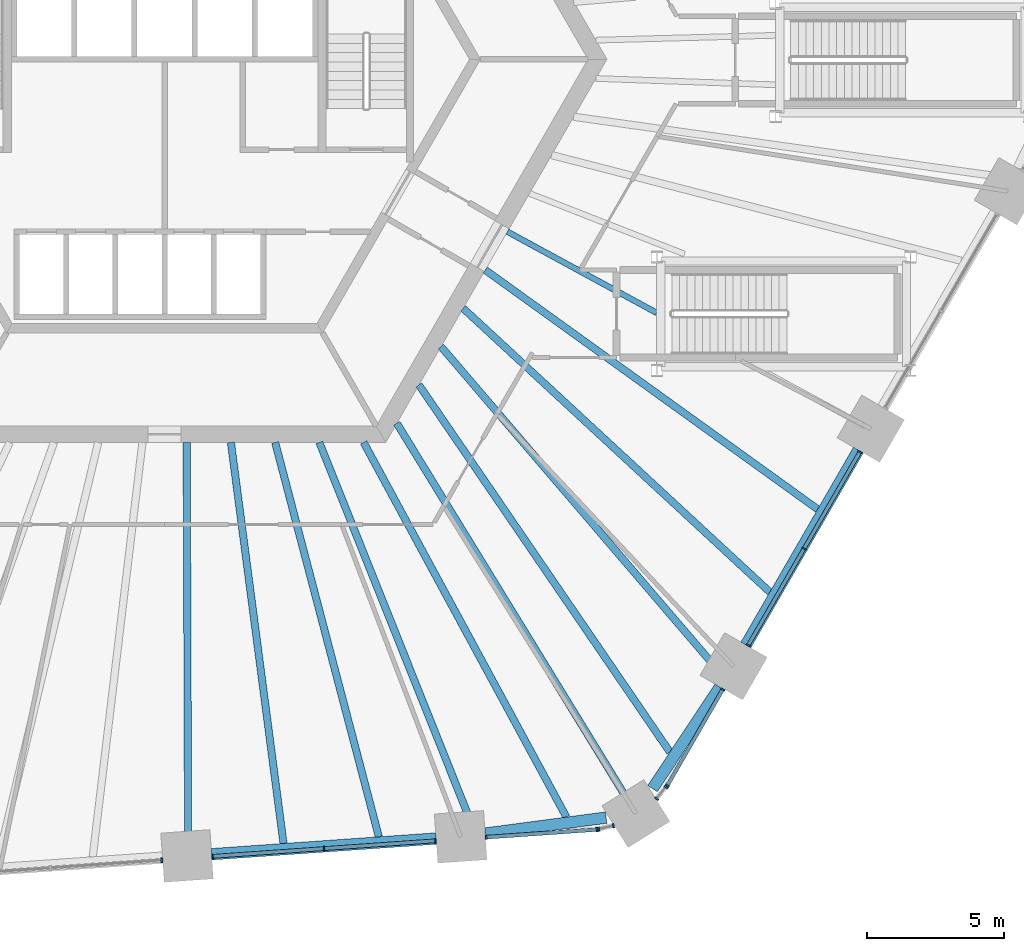
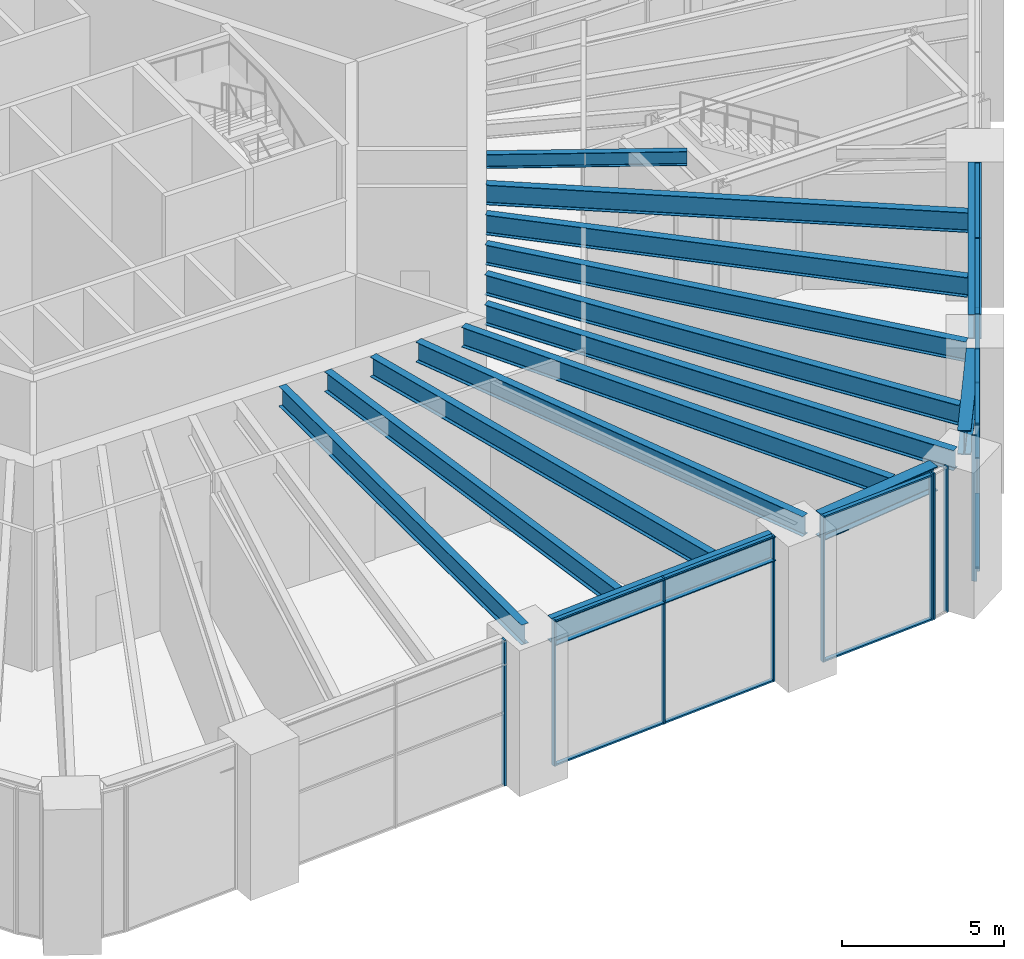
# One storey, part 5 of 30: 27 members, 15 beams, 7 elements without a shape of their own.
"""IFC4 building model written with IfcOpenShell, lengths in metres."""

from ifc_helpers import new_model, si_unit, direction, frame, origin, origin_2d, place, context, subcontext, project, spatial, rectangle, i_section, extrude, material, material_profile, profile_set, type_object, element, aggregate, save


model = new_model("IFC4")

# Units and contexts
model_context = context("Model", 3, precision=1e-05, world=origin(), true_north=direction((0.0, 1.0)))
body_context = subcontext(model_context, "Body", "Model", "MODEL_VIEW")
ifc_project = project(units=[si_unit("LENGTHUNIT", "METRE"), si_unit("AREAUNIT", "SQUARE_METRE"), si_unit("VOLUMEUNIT", "CUBIC_METRE"), si_unit("PLANEANGLEUNIT", "RADIAN"), si_unit("MASSUNIT", "GRAM", prefix="KILO")], contexts=[model_context])

# Site, building, storey
site_placement = place(None, origin())
site = spatial("IfcSite", under=ifc_project, at=site_placement, CompositionType="ELEMENT")
building_placement = place(site_placement, origin())
building = spatial("IfcBuilding", under=site, at=building_placement, Name="Tarnside Tower", CompositionType="ELEMENT")
storey_placement = place(building_placement, frame((0.0, 0.0, 15.0)))
storey = spatial("IfcBuildingStorey", under=building, at=storey_placement, Name="L02", CompositionType="ELEMENT", Elevation=15.0)

# Beams
ifc_material_1 = material(Name="Steel S355", Category="steel")
ifc_material_profile_1 = material_profile(ifc_material_1, i_section(OverallWidth=0.209228515625, OverallDepth=0.533203125, WebThickness=0.010009765625, FlangeThickness=0.015625, FilletRadius=0.0126953125, at=origin_2d()), Name="UB 533x210x92")
ifc_profile_set_1 = profile_set([ifc_material_profile_1], Name="Steel S355")
beam_type_1 = type_object("IfcBeamType", Name="Floor beam UB 533x210x92", PredefinedType="BEAM", material=ifc_profile_set_1)
beam_1_placement = place(storey_placement, frame((17.982421875, -9.26513671875, 4.9833984375), z_axis=(-0.878554552905, 0.477642018221, 0.0), x_axis=(-0.477642018221, -0.878554552905, 0.0)))
element("IfcBeam", 1, at=beam_1_placement, inside=storey, type_object=beam_type_1, Name="Floor beam F5.05b", PredefinedType="BEAM", context=body_context, shape_type="SweptSolid", body=[
    extrude(i_section(OverallWidth=0.209228515625, OverallDepth=0.533203125, WebThickness=0.010009765625, FlangeThickness=0.015625, FilletRadius=0.0126953125, at=origin_2d()), origin(), (0.0, 0.0, 1.0), 6.207763671875),
])
ifc_material_profile_2 = material_profile(ifc_material_1, i_section(OverallWidth=0.26513671875, OverallDepth=0.75390625, WebThickness=0.0126953125, FlangeThickness=0.017578125, FilletRadius=0.0166015625, at=origin_2d()), Name="UB 762x267x147")
ifc_profile_set_2 = profile_set([ifc_material_profile_2], Name="Steel S355")
beam_type_2 = type_object("IfcBeamType", Name="Floor beam UB 762x267x147", PredefinedType="BEAM", material=ifc_profile_set_2)
beam_2_placement = place(storey_placement, frame((0.8623046875, -28.89990234375, 4.873046875), z_axis=(-0.003621146175, 0.999993443629, 0.0), x_axis=(-0.999993443629, -0.003621146175, 0.0)))
element("IfcBeam", 2, at=beam_2_placement, inside=storey, type_object=beam_type_2, Name="Floor beam F4.05", PredefinedType="BEAM", context=body_context, shape_type="SweptSolid", body=[
    extrude(i_section(OverallWidth=0.26513671875, OverallDepth=0.75390625, WebThickness=0.0126953125, FlangeThickness=0.017578125, FilletRadius=0.0166015625, at=origin_2d()), origin(), (0.0, 0.0, 1.0), 14.89990234375),
])
beam_3_placement = place(storey_placement, frame((4.34765625, -28.65625, 4.873046875), z_axis=(-0.130081949033, 0.991503245852, 0.0), x_axis=(-0.991503245852, -0.130081949033, 0.0)))
element("IfcBeam", 3, at=beam_3_placement, inside=storey, type_object=beam_type_2, Name="Floor beam F4.06", PredefinedType="BEAM", context=body_context, shape_type="SweptSolid", body=[
    extrude(i_section(OverallWidth=0.26513671875, OverallDepth=0.75390625, WebThickness=0.0126953125, FlangeThickness=0.017578125, FilletRadius=0.0166015625, at=origin_2d()), origin(), (0.0, 0.0, 1.0), 14.78173828125),
])
beam_4_placement = place(storey_placement, frame((7.83154296875, -28.41259765625, 4.873046875), z_axis=(-0.254320728051, 0.967119934281, 0.0), x_axis=(-0.967119934281, -0.254320728051, 0.0)))
element("IfcBeam", 4, at=beam_4_placement, inside=storey, type_object=beam_type_2, Name="Floor beam F4.07", PredefinedType="BEAM", context=body_context, shape_type="SweptSolid", body=[
    extrude(i_section(OverallWidth=0.26513671875, OverallDepth=0.75390625, WebThickness=0.0126953125, FlangeThickness=0.017578125, FilletRadius=0.0166015625, at=origin_2d()), origin(), (0.0, 0.0, 1.0), 14.902587890625),
])
beam_5_placement = place(storey_placement, frame((11.3017578125, -28.138671875, 4.873046875), z_axis=(-0.370729742981, 0.928740791432, 0.0), x_axis=(-0.928740791432, -0.370729742981, 0.0)))
element("IfcBeam", 5, at=beam_5_placement, inside=storey, type_object=beam_type_2, Name="Floor beam F4.08", PredefinedType="BEAM", context=body_context, shape_type="SweptSolid", body=[
    extrude(i_section(OverallWidth=0.26513671875, OverallDepth=0.75390625, WebThickness=0.0126953125, FlangeThickness=0.017578125, FilletRadius=0.0166015625, at=origin_2d()), origin(), (0.0, 0.0, 1.0), 15.223388671875),
])
beam_6_placement = place(storey_placement, frame((14.684814453125, -27.690673828125, 4.873046875), z_axis=(-0.476003739456, 0.879443255716, 0.0), x_axis=(-0.879443255716, -0.476003739456, 0.0)))
element("IfcBeam", 6, at=beam_6_placement, inside=storey, type_object=beam_type_2, Name="Floor beam F4.09", PredefinedType="BEAM", context=body_context, shape_type="SweptSolid", body=[
    extrude(i_section(OverallWidth=0.26513671875, OverallDepth=0.75390625, WebThickness=0.0126953125, FlangeThickness=0.017578125, FilletRadius=0.0166015625, at=origin_2d()), origin(), (0.0, 0.0, 1.0), 15.5673828125),
])
beam_7_placement = place(storey_placement, frame((20.351806640625, -22.47021484375, 4.873046875), z_axis=(-0.650356182347, 0.759629407068, 0.0), x_axis=(-0.759629407068, -0.650356182347, 0.0)))
element("IfcBeam", 7, at=beam_7_placement, inside=storey, type_object=beam_type_2, Name="Floor beam F5.02", PredefinedType="BEAM", context=body_context, shape_type="SweptSolid", body=[
    extrude(i_section(OverallWidth=0.26513671875, OverallDepth=0.75390625, WebThickness=0.0126953125, FlangeThickness=0.017578125, FilletRadius=0.0166015625, at=origin_2d()), origin(), (0.0, 0.0, 1.0), 15.758056640625),
])
beam_8_placement = place(storey_placement, frame((22.119384765625, -19.467529296875, 4.873046875), z_axis=(-0.734083895409, 0.679058785748, 0.0), x_axis=(-0.679058785748, -0.734083895409, 0.0)))
element("IfcBeam", 8, at=beam_8_placement, inside=storey, type_object=beam_type_2, Name="Floor beam F5.03", PredefinedType="BEAM", context=body_context, shape_type="SweptSolid", body=[
    extrude(i_section(OverallWidth=0.26513671875, OverallDepth=0.75390625, WebThickness=0.0126953125, FlangeThickness=0.017578125, FilletRadius=0.0166015625, at=origin_2d()), origin(), (0.0, 0.0, 1.0), 15.267333984375),
])
beam_9_placement = place(storey_placement, frame((23.86669921875, -16.441162109375, 4.873046875), z_axis=(-0.811669235156, 0.584117327856, 0.0), x_axis=(-0.584117327856, -0.811669235156, 0.0)))
element("IfcBeam", 9, at=beam_9_placement, inside=storey, type_object=beam_type_2, Name="Floor beam F5.04", PredefinedType="BEAM", context=body_context, shape_type="SweptSolid", body=[
    extrude(i_section(OverallWidth=0.26513671875, OverallDepth=0.75390625, WebThickness=0.0126953125, FlangeThickness=0.017578125, FilletRadius=0.0166015625, at=origin_2d()), origin(), (0.0, 0.0, 1.0), 14.96484375),
])
ifc_material_profile_3 = material_profile(ifc_material_1, i_section(OverallWidth=0.2666015625, OverallDepth=0.76220703125, WebThickness=0.014404296875, FlangeThickness=0.021484375, FilletRadius=0.0166015625, at=origin_2d()), Name="UB 762x267x173")
ifc_profile_set_3 = profile_set([ifc_material_profile_3], Name="Steel S355")
beam_type_3 = type_object("IfcBeamType", Name="Floor beam UB 762x267x173", PredefinedType="BEAM", material=ifc_profile_set_3)
beam_10_placement = place(storey_placement, frame((17.107421875, -27.364013671875, 4.868896484375), z_axis=(-0.522584616484, 0.852587425789, 0.0), x_axis=(-0.852587425789, -0.522584616484, 0.0)))
element("IfcBeam", 10, at=beam_10_placement, inside=storey, type_object=beam_type_3, Name="Floor beam C4", PredefinedType="BEAM", context=body_context, shape_type="SweptSolid", body=[
    extrude(i_section(OverallWidth=0.2666015625, OverallDepth=0.76220703125, WebThickness=0.014404296875, FlangeThickness=0.021484375, FilletRadius=0.0166015625, at=origin_2d()), origin(), (0.0, 0.0, 1.0), 16.49560546875),
])
beam_11_placement = place(storey_placement, frame((18.4658203125, -25.314697265625, 4.868896484375), z_axis=(-0.564342929086, 0.825540464418, 0.0), x_axis=(-0.825540464418, -0.564342929086, 0.0)))
element("IfcBeam", 11, at=beam_11_placement, inside=storey, type_object=beam_type_3, Name="Floor beam F5.01", PredefinedType="BEAM", context=body_context, shape_type="SweptSolid", body=[
    extrude(i_section(OverallWidth=0.2666015625, OverallDepth=0.76220703125, WebThickness=0.014404296875, FlangeThickness=0.021484375, FilletRadius=0.0166015625, at=origin_2d()), origin(), (0.0, 0.0, 1.0), 16.249755859375),
])

# Curtain wall, member
ifc_material_2 = material(Name="Lobby entrance glazing wall", Category="glass")
curtain_wall_type_1 = type_object("IfcCurtainWallType", Name="Lobby entrance glazing wall", PredefinedType="NOTDEFINED", material=ifc_material_2)
curtain_wall_1_placement = place(storey_placement, origin())
curtain_wall_1 = element("IfcCurtainWall", 12, at=curtain_wall_1_placement, inside=storey, type_object=curtain_wall_type_1, Name="Lobby entrance glazing L02 12.0", PredefinedType="NOTDEFINED")
ifc_material_3 = material(Name="Aluminium alloy 6063", Category="aluminium")
ifc_material_profile_4 = material_profile(ifc_material_3, rectangle(XDim=0.179931640625, YDim=0.070068359375, at=origin_2d()), Name="Lobby entrance glazing mullion 70 x 180")
ifc_profile_set_4 = profile_set([ifc_material_profile_4], Name="Aluminium alloy 6063")
member_type_1 = type_object("IfcMemberType", Name="Lobby entrance glazing mullion 70 x 180", PredefinedType="MULLION", material=ifc_profile_set_4)
member_1_placement = place(storey_placement, frame((-0.104736328125, -29.2685546875, -0.25), z_axis=(0.0, 0.0, 1.0), x_axis=(-0.069756473779, 0.997564050257, 0.0)))
member_1 = element("IfcMember", 13, at=member_1_placement, type_object=member_type_1, Name="CW3 mullion 3", PredefinedType="MULLION", context=body_context, shape_type="SweptSolid", body=[
    extrude(rectangle(XDim=0.179931640625, YDim=0.070068359375, at=origin_2d()), origin(), (0.0, 0.0, 1.0), 5.5),
])
aggregate(curtain_wall_1, [member_1])

# Beams
ifc_material_4 = material(Name="Steel S460", Category="steel")
ifc_material_profile_5 = material_profile(ifc_material_4, i_section(OverallWidth=0.42041015625, OverallDepth=0.9208984375, WebThickness=0.021484375, FlangeThickness=0.03662109375, FilletRadius=0.024169921875, at=origin_2d()), Name="UB 914x419x388")
ifc_profile_set_5 = profile_set([ifc_material_profile_5], Name="Steel S460")
beam_type_4 = type_object("IfcBeamType", Name="Perimeter girder UB 914x419x388", PredefinedType="BEAM", material=ifc_profile_set_5)
beam_12_placement = place(storey_placement, frame((1.719482421875, -29.05078125, 4.78955078125), z_axis=(0.99756353515, 0.069763839764, 0.0), x_axis=(-0.069763839764, 0.99756353515, 0.0)))
element("IfcBeam", 14, at=beam_12_placement, inside=storey, type_object=beam_type_4, Name="Perimeter girder M14", PredefinedType="BEAM", context=body_context, shape_type="SweptSolid", body=[
    extrude(i_section(OverallWidth=0.42041015625, OverallDepth=0.9208984375, WebThickness=0.021484375, FlangeThickness=0.03662109375, FilletRadius=0.024169921875, at=origin_2d()), origin(), (0.0, 0.0, 1.0), 8.223876953125),
])
for number, where, z_axis, x_axis, name in (
    (15, (11.733154296875, -28.293701171875, 4.78955078125), (0.991349927248, 0.13124527323, 0.0), (-0.13124527323, 0.991349927248, 0.0), "Perimeter girder M15"),
    (16, (17.833251953125, -26.649658203125, 4.78955078125), (0.55252857913, 0.833493952734, 0.0), (-0.833493952734, 0.55252857913, 0.0), "Perimeter girder M16"),
):
    element("IfcBeam", number, at=place(storey_placement, frame(where, z_axis=z_axis, x_axis=x_axis)), inside=storey, type_object=beam_type_4, Name=name, PredefinedType="BEAM", context=body_context, shape_type="SweptSolid", body=[
        extrude(i_section(OverallWidth=0.42041015625, OverallDepth=0.9208984375, WebThickness=0.021484375, FlangeThickness=0.03662109375, FilletRadius=0.024169921875, at=origin_2d()), origin(), (0.0, 0.0, 1.0), 4.440185546875),
    ])
beam_13_placement = place(storey_placement, frame((21.2451171875, -21.402587890625, 4.78955078125), z_axis=(0.499989712218, 0.866031343357, 0.0), x_axis=(-0.866031343357, 0.499989712218, 0.0)))
element("IfcBeam", 17, at=beam_13_placement, inside=storey, type_object=beam_type_4, Name="Perimeter girder M17", PredefinedType="BEAM", context=body_context, shape_type="SweptSolid", body=[
    extrude(i_section(OverallWidth=0.42041015625, OverallDepth=0.9208984375, WebThickness=0.021484375, FlangeThickness=0.03662109375, FilletRadius=0.024169921875, at=origin_2d()), origin(), (0.0, 0.0, 1.0), 8.223876953125),
])

# Curtain wall, members
ifc_material_5 = material(Name="Retail shopfront glazing wall", Category="glass")
curtain_wall_type_2 = type_object("IfcCurtainWallType", Name="Retail shopfront glazing wall", PredefinedType="NOTDEFINED", material=ifc_material_5)
curtain_wall_2_placement = place(storey_placement, origin())
curtain_wall_2 = element("IfcCurtainWall", 18, at=curtain_wall_2_placement, inside=storey, type_object=curtain_wall_type_2, Name="Retail shopfront glazing L02 13.0", PredefinedType="NOTDEFINED")
ifc_material_profile_6 = material_profile(ifc_material_3, rectangle(XDim=0.159912109375, YDim=0.06005859375, at=origin_2d()), Name="Retail shopfront glazing mullion 60 x 160")
ifc_profile_set_6 = profile_set([ifc_material_profile_6], Name="Aluminium alloy 6063")
member_type_2 = type_object("IfcMemberType", Name="Retail shopfront glazing mullion 60 x 160", PredefinedType="MULLION", material=ifc_profile_set_6)
member_2_placement = place(storey_placement, frame((1.755126953125, -29.12841796875, -0.25), z_axis=(0.0, 0.0, 1.0), x_axis=(-0.069756473779, 0.997564050257, 0.0)))
member_2 = element("IfcMember", 19, at=member_2_placement, type_object=member_type_2, Name="CW2 mullion 1", PredefinedType="MULLION", context=body_context, shape_type="SweptSolid", body=[
    extrude(rectangle(XDim=0.159912109375, YDim=0.06005859375, at=origin_2d()), origin(), (0.0, 0.0, 1.0), 5.5),
])
member_3_placement = place(storey_placement, frame((5.826904296875, -28.84375, -0.25), z_axis=(0.0, 0.0, 1.0), x_axis=(-0.069756473779, 0.997564050257, 0.0)))
member_3 = element("IfcMember", 20, at=member_3_placement, type_object=member_type_2, Name="CW2 mullion 2", PredefinedType="MULLION", context=body_context, shape_type="SweptSolid", body=[
    extrude(rectangle(XDim=0.159912109375, YDim=0.06005859375, at=origin_2d()), origin(), (0.0, 0.0, 1.0), 5.5),
])
member_4_placement = place(storey_placement, frame((9.89892578125, -28.55908203125, -0.25), z_axis=(0.0, 0.0, 1.0), x_axis=(-0.069756473779, 0.997564050257, 0.0)))
member_4 = element("IfcMember", 21, at=member_4_placement, type_object=member_type_2, Name="CW2 mullion 3", PredefinedType="MULLION", context=body_context, shape_type="SweptSolid", body=[
    extrude(rectangle(XDim=0.159912109375, YDim=0.06005859375, at=origin_2d()), origin(), (0.0, 0.0, 1.0), 5.5),
])

curtain_wall_3_placement = place(storey_placement, origin())
curtain_wall_3 = element("IfcCurtainWall", 22, at=curtain_wall_3_placement, inside=storey, type_object=curtain_wall_type_2, Name="Retail shopfront glazing L02 14.0", PredefinedType="NOTDEFINED")
member_5_placement = place(storey_placement, frame((11.75439453125, -28.42919921875, -0.25), z_axis=(0.0, 0.0, 1.0), x_axis=(-0.069756473918, 0.997564050248, 0.0)))
member_5 = element("IfcMember", 23, at=member_5_placement, type_object=member_type_2, Name="CW2 mullion 1", PredefinedType="MULLION", context=body_context, shape_type="SweptSolid", body=[
    extrude(rectangle(XDim=0.159912109375, YDim=0.06005859375, at=origin_2d()), origin(), (0.0, 0.0, 1.0), 5.5),
])
member_6_placement = place(storey_placement, frame((15.79638671875, -28.146728515625, -0.25), z_axis=(0.0, 0.0, 1.0), x_axis=(-0.069756473918, 0.997564050248, 0.0)))
member_6 = element("IfcMember", 24, at=member_6_placement, type_object=member_type_2, Name="CW2 mullion 2", PredefinedType="MULLION", context=body_context, shape_type="SweptSolid", body=[
    extrude(rectangle(XDim=0.159912109375, YDim=0.06005859375, at=origin_2d()), origin(), (0.0, 0.0, 1.0), 5.5),
])

curtain_wall_4_placement = place(storey_placement, origin())
curtain_wall_4 = element("IfcCurtainWall", 25, at=curtain_wall_4_placement, inside=storey, type_object=curtain_wall_type_2, Name="Retail shopfront glazing L02 14.1", PredefinedType="NOTDEFINED")
member_7_placement = place(storey_placement, frame((15.868408203125, -28.1357421875, -0.25), z_axis=(0.0, 0.0, 1.0), x_axis=(-0.230615871127, 0.973044870489, 0.0)))
member_7 = element("IfcMember", 26, at=member_7_placement, type_object=member_type_2, Name="CW2 mullion 1", PredefinedType="MULLION", context=body_context, shape_type="SweptSolid", body=[
    extrude(rectangle(XDim=0.159912109375, YDim=0.06005859375, at=origin_2d()), origin(), (0.0, 0.0, 1.0), 5.5),
])
member_8_placement = place(storey_placement, frame((16.40185546875, -28.00927734375, -0.25), z_axis=(0.0, 0.0, 1.0), x_axis=(-0.230615871127, 0.973044870489, 0.0)))
member_8 = element("IfcMember", 27, at=member_8_placement, type_object=member_type_2, Name="CW2 mullion 2", PredefinedType="MULLION", context=body_context, shape_type="SweptSolid", body=[
    extrude(rectangle(XDim=0.159912109375, YDim=0.06005859375, at=origin_2d()), origin(), (0.0, 0.0, 1.0), 5.5),
])
aggregate(curtain_wall_4, [member_7, member_8])

curtain_wall_5_placement = place(storey_placement, origin())
curtain_wall_5 = element("IfcCurtainWall", 28, at=curtain_wall_5_placement, inside=storey, type_object=curtain_wall_type_2, Name="Retail shopfront glazing L02 15.0", PredefinedType="NOTDEFINED")
member_9_placement = place(storey_placement, frame((17.984375, -27.020263671875, -0.25), z_axis=(0.0, 0.0, 1.0), x_axis=(-0.77347159307, 0.633830966989, 0.0)))
member_9 = element("IfcMember", 29, at=member_9_placement, type_object=member_type_2, Name="CW2 mullion 1", PredefinedType="MULLION", context=body_context, shape_type="SweptSolid", body=[
    extrude(rectangle(XDim=0.159912109375, YDim=0.06005859375, at=origin_2d()), origin(), (0.0, 0.0, 1.0), 5.5),
])
member_10_placement = place(storey_placement, frame((18.33203125, -26.59619140625, -0.25), z_axis=(0.0, 0.0, 1.0), x_axis=(-0.77347159307, 0.633830966989, 0.0)))
member_10 = element("IfcMember", 30, at=member_10_placement, type_object=member_type_2, Name="CW2 mullion 2", PredefinedType="MULLION", context=body_context, shape_type="SweptSolid", body=[
    extrude(rectangle(XDim=0.159912109375, YDim=0.06005859375, at=origin_2d()), origin(), (0.0, 0.0, 1.0), 5.5),
])
aggregate(curtain_wall_5, [member_9, member_10])

curtain_wall_6_placement = place(storey_placement, origin())
curtain_wall_6 = element("IfcCurtainWall", 31, at=curtain_wall_6_placement, inside=storey, type_object=curtain_wall_type_2, Name="Retail shopfront glazing L02 15.1", PredefinedType="NOTDEFINED")
member_11_placement = place(storey_placement, frame((18.373291015625, -26.536376953125, -0.25), z_axis=(0.0, 0.0, 1.0), x_axis=(-0.866025403767, 0.50000000003, 0.0)))
member_11 = element("IfcMember", 32, at=member_11_placement, type_object=member_type_2, Name="CW2 mullion 1", PredefinedType="MULLION", context=body_context, shape_type="SweptSolid", body=[
    extrude(rectangle(XDim=0.159912109375, YDim=0.06005859375, at=origin_2d()), origin(), (0.0, 0.0, 1.0), 5.5),
])
member_12_placement = place(storey_placement, frame((20.3994140625, -23.02734375, -0.25), z_axis=(0.0, 0.0, 1.0), x_axis=(-0.866025403767, 0.50000000003, 0.0)))
member_12 = element("IfcMember", 33, at=member_12_placement, type_object=member_type_2, Name="CW2 mullion 2", PredefinedType="MULLION", context=body_context, shape_type="SweptSolid", body=[
    extrude(rectangle(XDim=0.159912109375, YDim=0.06005859375, at=origin_2d()), origin(), (0.0, 0.0, 1.0), 5.5),
])

curtain_wall_7_placement = place(storey_placement, origin())
curtain_wall_7 = element("IfcCurtainWall", 34, at=curtain_wall_7_placement, inside=storey, type_object=curtain_wall_type_2, Name="Retail shopfront glazing L02 16.0", PredefinedType="NOTDEFINED")
member_13_placement = place(storey_placement, frame((21.329345703125, -21.41650390625, -0.25), z_axis=(0.0, 0.0, 1.0), x_axis=(-0.866025403819, 0.49999999994, 0.0)))
member_13 = element("IfcMember", 35, at=member_13_placement, type_object=member_type_2, Name="CW2 mullion 1", PredefinedType="MULLION", context=body_context, shape_type="SweptSolid", body=[
    extrude(rectangle(XDim=0.159912109375, YDim=0.06005859375, at=origin_2d()), origin(), (0.0, 0.0, 1.0), 5.5),
])
member_14_placement = place(storey_placement, frame((23.370361328125, -17.881591796875, -0.25), z_axis=(0.0, 0.0, 1.0), x_axis=(-0.866025403819, 0.49999999994, 0.0)))
member_14 = element("IfcMember", 36, at=member_14_placement, type_object=member_type_2, Name="CW2 mullion 2", PredefinedType="MULLION", context=body_context, shape_type="SweptSolid", body=[
    extrude(rectangle(XDim=0.159912109375, YDim=0.06005859375, at=origin_2d()), origin(), (0.0, 0.0, 1.0), 5.5),
])
member_15_placement = place(storey_placement, frame((25.4111328125, -14.3466796875, -0.25), z_axis=(0.0, 0.0, 1.0), x_axis=(-0.866025403819, 0.49999999994, 0.0)))
member_15 = element("IfcMember", 37, at=member_15_placement, type_object=member_type_2, Name="CW2 mullion 3", PredefinedType="MULLION", context=body_context, shape_type="SweptSolid", body=[
    extrude(rectangle(XDim=0.159912109375, YDim=0.06005859375, at=origin_2d()), origin(), (0.0, 0.0, 1.0), 5.5),
])

# Member
ifc_material_profile_7 = material_profile(ifc_material_3, rectangle(XDim=0.139892578125, YDim=0.06005859375, at=origin_2d()), Name="Retail shopfront glazing transom 60 x 140")
ifc_profile_set_7 = profile_set([ifc_material_profile_7], Name="Aluminium alloy 6063")
member_type_3 = type_object("IfcMemberType", Name="Retail shopfront glazing transom 60 x 140", PredefinedType="USERDEFINED", material=ifc_profile_set_7)
member_16_placement = place(storey_placement, frame((1.784912109375, -29.12646484375, -0.219970703125), z_axis=(0.99756479881, 0.069745768153, 0.0), x_axis=(-0.069745768153, 0.99756479881, 0.0)))
member_16 = element("IfcMember", 38, at=member_16_placement, type_object=member_type_3, Name="CW2 transom 1.1", ObjectType="TRANSOM", PredefinedType="USERDEFINED", context=body_context, shape_type="SweptSolid", body=[
    extrude(rectangle(XDim=0.139892578125, YDim=0.06005859375, at=origin_2d()), origin(), (0.0, 0.0, 1.0), 4.02197265625),
])

member_17_placement = place(storey_placement, frame((1.784912109375, -29.12646484375, 5.219970703125), z_axis=(0.99756479881, 0.069745768153, 0.0), x_axis=(-0.069745768153, 0.99756479881, 0.0)))
member_17 = element("IfcMember", 39, at=member_17_placement, type_object=member_type_3, Name="CW2 transom 1.2", ObjectType="TRANSOM", PredefinedType="USERDEFINED", context=body_context, shape_type="SweptSolid", body=[
    extrude(rectangle(XDim=0.139892578125, YDim=0.06005859375, at=origin_2d()), origin(), (0.0, 0.0, 1.0), 4.02197265625),
])

member_18_placement = place(storey_placement, frame((5.85693359375, -28.841796875, -0.219970703125), z_axis=(0.997560277835, 0.069810400992, 0.0), x_axis=(-0.069810400992, 0.997560277835, 0.0)))
member_18 = element("IfcMember", 40, at=member_18_placement, type_object=member_type_3, Name="CW2 transom 2.1", ObjectType="TRANSOM", PredefinedType="USERDEFINED", context=body_context, shape_type="SweptSolid", body=[
    extrude(rectangle(XDim=0.139892578125, YDim=0.06005859375, at=origin_2d()), origin(), (0.0, 0.0, 1.0), 4.021728515625),
])

member_19_placement = place(storey_placement, frame((5.85693359375, -28.841796875, 5.219970703125), z_axis=(0.997560277835, 0.069810400992, 0.0), x_axis=(-0.069810400992, 0.997560277835, 0.0)))
member_19 = element("IfcMember", 41, at=member_19_placement, type_object=member_type_3, Name="CW2 transom 2.2", ObjectType="TRANSOM", PredefinedType="USERDEFINED", context=body_context, shape_type="SweptSolid", body=[
    extrude(rectangle(XDim=0.139892578125, YDim=0.06005859375, at=origin_2d()), origin(), (0.0, 0.0, 1.0), 4.021728515625),
])

aggregate(curtain_wall_2, [member_2, member_3, member_4, member_16, member_17, member_18, member_19])

member_20_placement = place(storey_placement, frame((11.7841796875, -28.42724609375, -0.219970703125), z_axis=(0.99756224643, 0.069782264924, 0.0), x_axis=(-0.069782264924, 0.99756224643, 0.0)))
member_20 = element("IfcMember", 42, at=member_20_placement, type_object=member_type_3, Name="CW2 transom 1.1", ObjectType="TRANSOM", PredefinedType="USERDEFINED", context=body_context, shape_type="SweptSolid", body=[
    extrude(rectangle(XDim=0.139892578125, YDim=0.06005859375, at=origin_2d()), origin(), (0.0, 0.0, 1.0), 3.991943359375),
])

member_21_placement = place(storey_placement, frame((11.7841796875, -28.42724609375, 5.219970703125), z_axis=(0.99756224643, 0.069782264924, 0.0), x_axis=(-0.069782264924, 0.99756224643, 0.0)))
member_21 = element("IfcMember", 43, at=member_21_placement, type_object=member_type_3, Name="CW2 transom 1.2", ObjectType="TRANSOM", PredefinedType="USERDEFINED", context=body_context, shape_type="SweptSolid", body=[
    extrude(rectangle(XDim=0.139892578125, YDim=0.06005859375, at=origin_2d()), origin(), (0.0, 0.0, 1.0), 3.991943359375),
])

aggregate(curtain_wall_3, [member_5, member_6, member_20, member_21])

member_22_placement = place(storey_placement, frame((18.388427734375, -26.51025390625, -0.219970703125), z_axis=(0.499987164874, 0.866032814021, 0.0), x_axis=(-0.866032814021, 0.499987164874, 0.0)))
member_22 = element("IfcMember", 44, at=member_22_placement, type_object=member_type_3, Name="CW2 transom 1.1", ObjectType="TRANSOM", PredefinedType="USERDEFINED", context=body_context, shape_type="SweptSolid", body=[
    extrude(rectangle(XDim=0.139892578125, YDim=0.06005859375, at=origin_2d()), origin(), (0.0, 0.0, 1.0), 3.99169921875),
])

member_23_placement = place(storey_placement, frame((18.388427734375, -26.51025390625, 5.219970703125), z_axis=(0.499987164874, 0.866032814021, 0.0), x_axis=(-0.866032814021, 0.499987164874, 0.0)))
member_23 = element("IfcMember", 45, at=member_23_placement, type_object=member_type_3, Name="CW2 transom 1.2", ObjectType="TRANSOM", PredefinedType="USERDEFINED", context=body_context, shape_type="SweptSolid", body=[
    extrude(rectangle(XDim=0.139892578125, YDim=0.06005859375, at=origin_2d()), origin(), (0.0, 0.0, 1.0), 3.99169921875),
])

aggregate(curtain_wall_6, [member_11, member_12, member_22, member_23])

member_24_placement = place(storey_placement, frame((21.34423828125, -21.390625, -0.219970703125), z_axis=(0.499997437312, 0.866026883348, 0.0), x_axis=(-0.866026883348, 0.499997437312, 0.0)))
member_24 = element("IfcMember", 46, at=member_24_placement, type_object=member_type_3, Name="CW2 transom 1.1", ObjectType="TRANSOM", PredefinedType="USERDEFINED", context=body_context, shape_type="SweptSolid", body=[
    extrude(rectangle(XDim=0.139892578125, YDim=0.06005859375, at=origin_2d()), origin(), (0.0, 0.0, 1.0), 4.02197265625),
])

member_25_placement = place(storey_placement, frame((21.34423828125, -21.390625, 5.219970703125), z_axis=(0.499997437312, 0.866026883348, 0.0), x_axis=(-0.866026883348, 0.499997437312, 0.0)))
member_25 = element("IfcMember", 47, at=member_25_placement, type_object=member_type_3, Name="CW2 transom 1.2", ObjectType="TRANSOM", PredefinedType="USERDEFINED", context=body_context, shape_type="SweptSolid", body=[
    extrude(rectangle(XDim=0.139892578125, YDim=0.06005859375, at=origin_2d()), origin(), (0.0, 0.0, 1.0), 4.02197265625),
])

member_26_placement = place(storey_placement, frame((23.38525390625, -17.85546875, -0.219970703125), z_axis=(0.500023722852, 0.866011706956, 0.0), x_axis=(-0.866011706956, 0.500023722852, 0.0)))
member_26 = element("IfcMember", 48, at=member_26_placement, type_object=member_type_3, Name="CW2 transom 2.1", ObjectType="TRANSOM", PredefinedType="USERDEFINED", context=body_context, shape_type="SweptSolid", body=[
    extrude(rectangle(XDim=0.139892578125, YDim=0.06005859375, at=origin_2d()), origin(), (0.0, 0.0, 1.0), 4.021728515625),
])

member_27_placement = place(storey_placement, frame((23.38525390625, -17.85546875, 5.219970703125), z_axis=(0.500023722852, 0.866011706956, 0.0), x_axis=(-0.866011706956, 0.500023722852, 0.0)))
member_27 = element("IfcMember", 49, at=member_27_placement, type_object=member_type_3, Name="CW2 transom 2.2", ObjectType="TRANSOM", PredefinedType="USERDEFINED", context=body_context, shape_type="SweptSolid", body=[
    extrude(rectangle(XDim=0.139892578125, YDim=0.06005859375, at=origin_2d()), origin(), (0.0, 0.0, 1.0), 4.021728515625),
])

aggregate(curtain_wall_7, [member_13, member_14, member_15, member_24, member_25, member_26, member_27])

save(model, "model.ifc")
